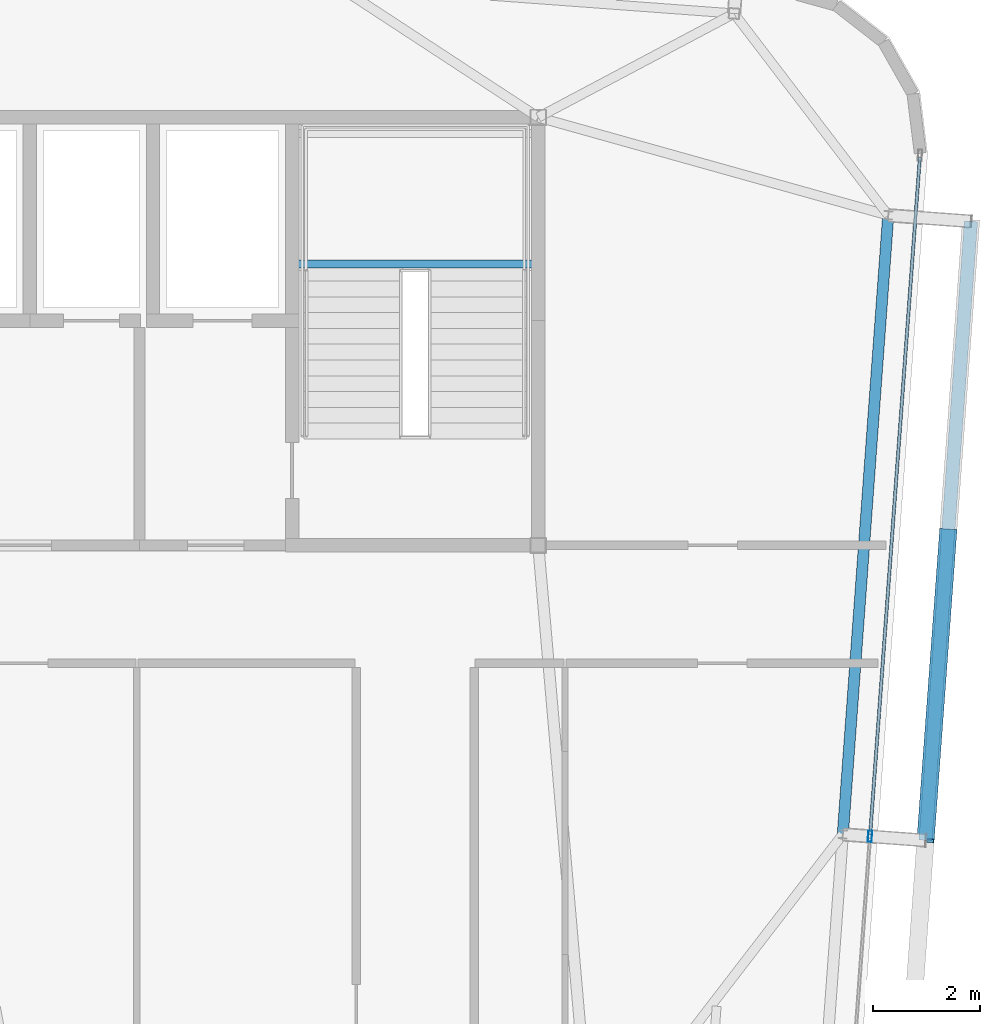
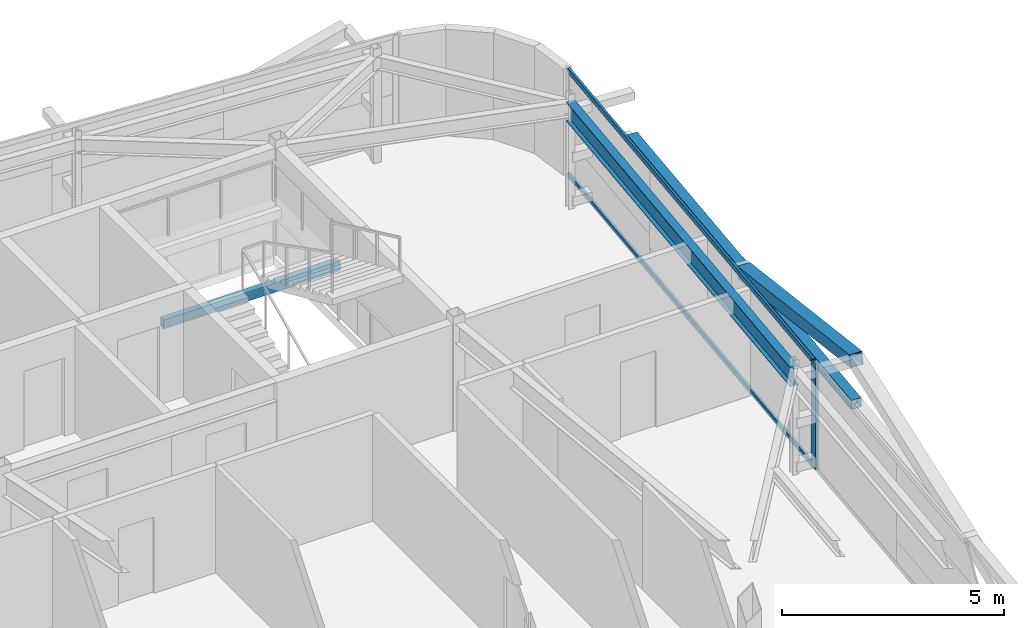
# One storey, part 17 of 34: 5 members, 2 beams, 1 element without a shape of its own.
"""IFC4 building model written with IfcOpenShell, lengths in metres."""

from ifc_helpers import new_model, si_unit, direction, frame, origin, origin_2d, place, context, subcontext, project, spatial, hollow_rectangle, i_section, extrude, source, transform, mapped, material, layer, layer_set, material_profile, profile_set, type_object, element, aggregate, save


model = new_model("IFC4")

# Units and contexts
model_context = context("Model", 3, precision=1e-05, world=origin(), true_north=direction((0.0, 1.0)))
body_context = subcontext(model_context, "Body", "Model", "MODEL_VIEW")
ifc_project = project(units=[si_unit("LENGTHUNIT", "METRE"), si_unit("AREAUNIT", "SQUARE_METRE"), si_unit("VOLUMEUNIT", "CUBIC_METRE"), si_unit("PLANEANGLEUNIT", "RADIAN"), si_unit("MASSUNIT", "GRAM", prefix="KILO")], contexts=[model_context])

# Site, building, storey
site_placement = place(None, origin())
site = spatial("IfcSite", under=ifc_project, at=site_placement, CompositionType="ELEMENT")
building_placement = place(site_placement, origin())
building = spatial("IfcBuilding", under=site, at=building_placement, Name="Taldren Reach Tower", CompositionType="ELEMENT")
storey_placement = place(building_placement, frame((0.0, 0.0, 242.89990234375)))
storey = spatial("IfcBuildingStorey", under=building, at=storey_placement, Name="L74", CompositionType="ELEMENT", Elevation=242.89990234375)

# Beam
ifc_material_1 = material(Name="Steel Gr 350 (350PLUS)", Category="steel")
ifc_material_profile_1 = material_profile(ifc_material_1, i_section(OverallWidth=0.208984375, OverallDepth=0.528076171875, WebThickness=0.009521484375, FlangeThickness=0.01318359375, at=origin_2d()), Name="530UB82.0")
ifc_profile_set_1 = profile_set([ifc_material_profile_1], Name="Steel Gr 350 (350PLUS)")
beam_type_1 = type_object("IfcBeamType", Name="SP-UB530B", PredefinedType="SPANDREL", material=ifc_profile_set_1)
shared_shape_1 = source(origin(), body_context, "Body", "SweptSolid", [
    extrude(i_section(OverallWidth=0.208984375, OverallDepth=0.528076171875, WebThickness=0.009521484375, FlangeThickness=0.01318359375, at=origin_2d()), origin(), (0.0, 0.0, 1.0), 11.60009765625),
])
beam_1_placement = place(storey_placement, frame((56.69140625, 18.599853515625, 2.666015625), z_axis=(0.073221234109, 0.997315722766, 0.0), x_axis=(-0.997315722766, 0.073221234109, 0.0)))
element("IfcBeam", 1, at=beam_1_placement, inside=storey, type_object=beam_type_1, Name="Perimeter spandrel B5 E2-E3 L74", PredefinedType="SPANDREL", context=body_context, shape_type="MappedRepresentation", body=[
    mapped(shared_shape_1, transform((0.0, 0.0, 0.0), scale=1.0)),
])

# Members
ifc_material_2 = material(Name="Steel Gr 450 (C450L0)", Category="steel")
ifc_material_profile_2 = material_profile(ifc_material_2, hollow_rectangle(XDim=0.324951171875, YDim=0.324951171875, WallThickness=0.0126953125, at=origin_2d()), Name="325x325x12.7SHS")
ifc_profile_set_2 = profile_set([ifc_material_profile_2], Name="Steel Gr 450 (C450L0)")
member_type_1 = type_object("IfcMemberType", Name="MB-BR324", PredefinedType="BRACE", material=ifc_profile_set_2)
shared_shape_2 = source(origin(), body_context, "Body", "SweptSolid", [
    extrude(hollow_rectangle(XDim=0.324951171875, YDim=0.324951171875, WallThickness=0.0126953125, at=origin_2d()), origin(), (0.0, 0.0, 1.0), 5.926025390625),
])
member_1_placement = place(storey_placement, frame((58.661865234375, 24.270751953125, 1.43505859375), z_axis=(-0.071685935393, -0.976123486939, 0.205046494513), x_axis=(0.997314185625, -0.073242167855, 0.0)))
element("IfcMember", 2, at=member_1_placement, inside=storey, type_object=member_type_1, Name="Exoskeleton Diagrid Brace B5-E2 L74", PredefinedType="BRACE", context=body_context, shape_type="MappedRepresentation", body=[
    mapped(shared_shape_2, transform((0.0, 0.0, 0.0), scale=1.0)),
])
ifc_material_3 = material(Name="Steel Gr 350 (C350L0)", Category="steel")
ifc_material_profile_3 = material_profile(ifc_material_3, hollow_rectangle(XDim=0.25, YDim=0.25, WallThickness=0.010009765625, at=origin_2d()), Name="250x250x10.0SHS")
ifc_profile_set_3 = profile_set([ifc_material_profile_3], Name="Steel Gr 350 (C350L0)")
member_type_2 = type_object("IfcMemberType", Name="MB-POST250", PredefinedType="POST", material=ifc_profile_set_3)
shared_shape_3 = source(origin(), body_context, "Body", "SweptSolid", [
    extrude(hollow_rectangle(XDim=0.25, YDim=0.25, WallThickness=0.010009765625, at=origin_2d()), origin(), (0.0, 0.0, 1.0), 11.60009765625),
])
member_2_placement = place(storey_placement, frame((58.237060546875, 18.486328125, 1.43505859375), z_axis=(0.073242167855, 0.997314185625, 0.0), x_axis=(-0.997314185625, 0.073242167855, 0.0)))
element("IfcMember", 3, at=member_2_placement, inside=storey, type_object=member_type_2, Name="Exoskeleton mid-height ring chord B5-E2 L74", PredefinedType="POST", context=body_context, shape_type="MappedRepresentation", body=[
    mapped(shared_shape_3, transform((0.0, 0.0, 0.0), scale=1.0)),
])

# Curtain wall, members
ifc_material_4 = material(Name="Aluminium and Low-E Glass Unitised System", Category="aluminium")
ifc_layer = layer(ifc_material_4, 0.159912109375)
ifc_layer_set = layer_set([ifc_layer], Name="Aluminium and Low-E Glass Unitised System")
curtain_wall_type = type_object("IfcCurtainWallType", Name="CW-SYS-6", PredefinedType="NOTDEFINED", material=ifc_layer_set)
curtain_wall_placement = place(storey_placement, origin())
curtain_wall = element("IfcCurtainWall", 4, at=curtain_wall_placement, inside=storey, type_object=curtain_wall_type, Name="Unitised curtain wall CW-L74-E", PredefinedType="NOTDEFINED")
ifc_material_5 = material(Name="Anodised Aluminium 6063-T6", Category="aluminium")
ifc_material_profile_4 = material_profile(ifc_material_5, hollow_rectangle(XDim=0.074951171875, YDim=0.2099609375, WallThickness=0.00439453125, at=origin_2d()), Name="ALU-210x75x4.5RHS")
ifc_profile_set_4 = profile_set([ifc_material_profile_4], Name="Anodised Aluminium 6063-T6")
member_type_3 = type_object("IfcMemberType", Name="CW-MUL-200", PredefinedType="MULLION", material=ifc_profile_set_4)
shared_shape_4 = source(origin(), body_context, "Body", "SweptSolid", [
    extrude(hollow_rectangle(XDim=0.074951171875, YDim=0.2099609375, WallThickness=0.00439453125, at=origin_2d()), origin(), (0.0, 0.0, 1.0), 2.93017578125),
])
member_3_placement = place(storey_placement, frame((57.199951171875, 18.5625, 0.0), z_axis=(0.0, 0.0, 1.0), x_axis=(-0.997314470951, 0.073238282558, 0.0)))
member_3 = element("IfcMember", 5, at=member_3_placement, type_object=member_type_3, Name="CW-6 mullion 2", PredefinedType="MULLION", context=body_context, shape_type="MappedRepresentation", body=[
    mapped(shared_shape_4, transform((0.0, 0.0, 0.0), scale=1.0)),
])
ifc_material_profile_5 = material_profile(ifc_material_5, hollow_rectangle(XDim=0.06005859375, YDim=0.135009765625, WallThickness=0.00341796875, at=origin_2d()), Name="ALU-135x60x3.5RHS")
ifc_profile_set_5 = profile_set([ifc_material_profile_5], Name="Anodised Aluminium 6063-T6")
member_type_4 = type_object("IfcMemberType", Name="CW-TRN-150", PredefinedType="USERDEFINED", material=ifc_profile_set_5)
shared_shape_5 = source(origin(), body_context, "Body", "SweptSolid", [
    extrude(hollow_rectangle(XDim=0.06005859375, YDim=0.135009765625, WallThickness=0.00341796875, at=origin_2d()), origin(), (0.0, 0.0, 1.0), 12.6875),
])
member_4_placement = place(storey_placement, frame((57.20263671875, 18.599853515625, 0.030029296875), z_axis=(0.073237997916, 0.997314491854, 0.0), x_axis=(-0.997314491854, 0.073237997916, 0.0)))
member_4 = element("IfcMember", 6, at=member_4_placement, type_object=member_type_4, Name="CW-6 transom 2.1", ObjectType="TRANSOM", PredefinedType="USERDEFINED", context=body_context, shape_type="MappedRepresentation", body=[
    mapped(shared_shape_5, transform((0.0, 0.0, 0.0), scale=1.0)),
])
member_5_placement = place(storey_placement, frame((57.20263671875, 18.599853515625, 2.900146484375), z_axis=(0.073237997916, 0.997314491854, 0.0), x_axis=(-0.997314491854, 0.073237997916, 0.0)))
member_5 = element("IfcMember", 7, at=member_5_placement, type_object=member_type_4, Name="CW-6 transom 2.2", ObjectType="TRANSOM", PredefinedType="USERDEFINED", context=body_context, shape_type="MappedRepresentation", body=[
    mapped(shared_shape_5, transform((0.0, 0.0, 0.0), scale=1.0)),
])
aggregate(curtain_wall, [member_3, member_4, member_5])

# Beam
ifc_material_profile_6 = material_profile(ifc_material_3, hollow_rectangle(XDim=0.14990234375, YDim=0.25, WallThickness=0.009033203125, at=origin_2d()), Name="250x150x9.0RHS")
ifc_profile_set_6 = profile_set([ifc_material_profile_6], Name="Steel Gr 350 (C350L0)")
beam_type_2 = type_object("IfcBeamType", Name="LN-RHS250", PredefinedType="LINTEL", material=ifc_profile_set_6)
shared_shape_6 = source(origin(), body_context, "Body", "SweptSolid", [
    extrude(hollow_rectangle(XDim=0.14990234375, YDim=0.25, WallThickness=0.009033203125, at=origin_2d()), origin(), (0.0, 0.0, 1.0), 4.60009765625),
])
beam_2_placement = place(storey_placement, frame((46.39990234375, 29.2548828125, 1.27001953125), z_axis=(1.0, 0.0, 0.0), x_axis=(0.0, 1.0, 0.0)))
element("IfcBeam", 8, at=beam_2_placement, inside=storey, type_object=beam_type_2, Name="Stair half-landing support beam ST2-L74-1", PredefinedType="LINTEL", context=body_context, shape_type="MappedRepresentation", body=[
    mapped(shared_shape_6, transform((0.0, 0.0, 0.0), scale=1.0)),
])

save(model, "model.ifc")
